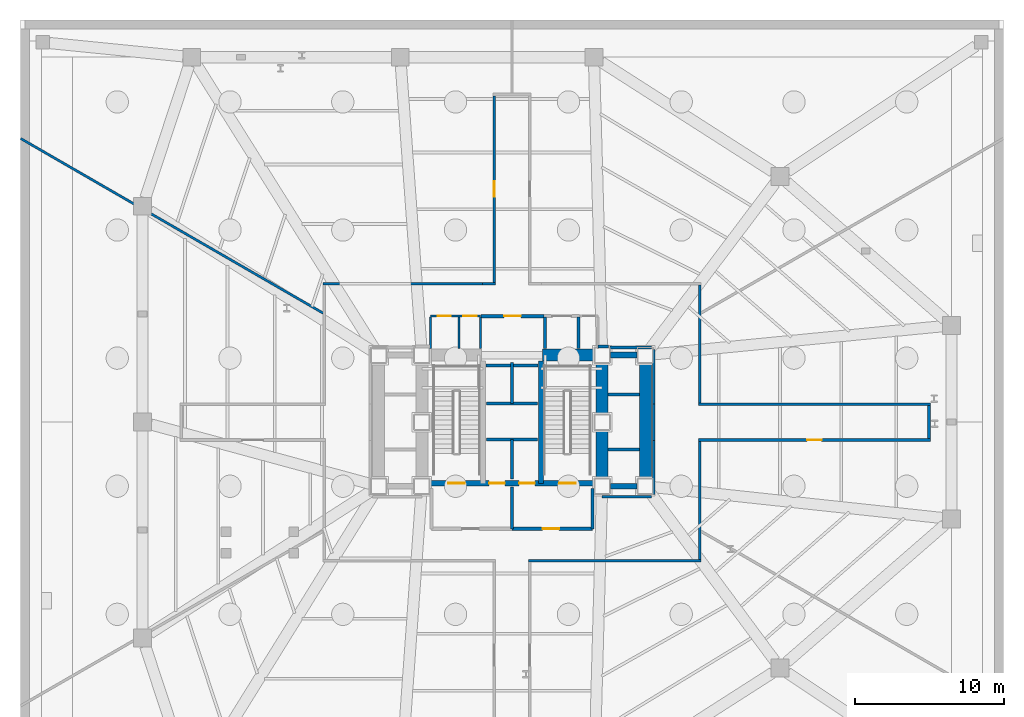
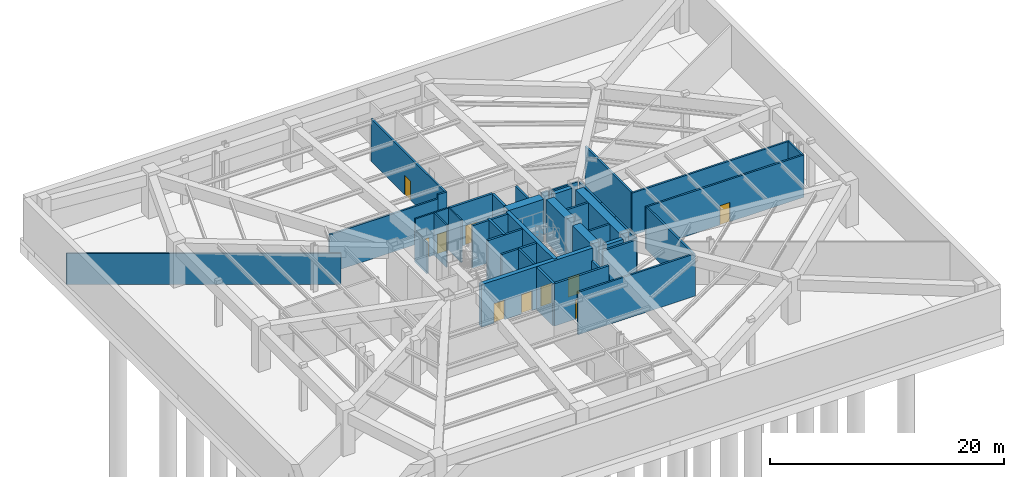
# One storey, part 4 of 7: 41 walls, 10 doors, 10 openings.
"""IFC4 building model written with IfcOpenShell, lengths in metres."""

from ifc_helpers import new_model, si_unit, direction, frame, frame_2d, origin, place, context, subcontext, project, spatial, rectangle, extrude, material, layer, layer_set, type_object, element, fill, save


model = new_model("IFC4")

# Units and contexts
model_context = context("Model", 3, precision=1e-05, world=origin(), true_north=direction((0.0, 1.0)))
body_context = subcontext(model_context, "Body", "Model", "MODEL_VIEW")
ifc_project = project(units=[si_unit("LENGTHUNIT", "METRE"), si_unit("AREAUNIT", "SQUARE_METRE"), si_unit("VOLUMEUNIT", "CUBIC_METRE"), si_unit("PLANEANGLEUNIT", "RADIAN"), si_unit("MASSUNIT", "GRAM", prefix="KILO")], contexts=[model_context])

# Site, building, storey
site_placement = place(None, origin())
site = spatial("IfcSite", under=ifc_project, at=site_placement, CompositionType="ELEMENT")
building_placement = place(site_placement, origin())
building = spatial("IfcBuilding", under=site, at=building_placement, Name="Rocaltana Carrier Exchange", CompositionType="ELEMENT")
storey_placement = place(building_placement, frame((0.0, 0.0, -9.60009765625)))
storey = spatial("IfcBuildingStorey", under=building, at=storey_placement, Name="Lower Basement", CompositionType="ELEMENT", Elevation=-9.60009765625)

# Walls
ifc_material_1 = material(Name="Double Acoustic Gypsum Partition", Category="gypsum")
ifc_layer_1 = layer(ifc_material_1, 0.159912109375)
ifc_layer_set_1 = layer_set([ifc_layer_1], Name="Double Acoustic Gypsum Partition")
wall_type_1 = type_object("IfcWallType", Name="Acoustic Studio Partition 160 EI60", PredefinedType="PARTITIONING", material=ifc_layer_set_1)
wall_1_placement = place(storey_placement, frame((-12.679931640625, 7.32080078125, 0.0), z_axis=(0.0, 0.0, 1.0), x_axis=(-0.866024362014, 0.500001804394, 0.0)))
element("IfcWall", 1, at=wall_1_placement, inside=storey, type_object=wall_type_1, Name="Lower Basement Suite Divider Wall D6", PredefinedType="PARTITIONING", context=body_context, shape_type="SweptSolid", body=[
    extrude(rectangle(XDim=23.4521484375, YDim=0.159912109375, at=frame_2d((11.72607421875, 0.0))), origin(), (0.0, 0.0, 1.0), 3.253173828125),
])
ifc_material_2 = material(Name="Concrete C50/60", Category="concrete")
ifc_layer_2 = layer(ifc_material_2, 0.35009765625)
ifc_layer_set_2 = layer_set([ifc_layer_2], Name="Concrete C50/60")
wall_type_2 = type_object("IfcWallType", Name="Core Internal Shear Wall 350", PredefinedType="SHEAR", material=ifc_layer_set_2)
wall_2_placement = place(storey_placement, frame((1.93994140625, -4.10009765625, 0.0), z_axis=(0.0, 0.0, 1.0), x_axis=(0.0, 1.0, 0.0)))
element("IfcWall", 2, at=wall_2_placement, inside=storey, type_object=wall_type_2, Name="Lower Basement Core Shear Wall CW-STE", PredefinedType="SHEAR", context=body_context, shape_type="SweptSolid", body=[
    extrude(rectangle(XDim=8.2001953125, YDim=0.35009765625, at=frame_2d((4.10009765625, 0.0))), origin(), (0.0, 0.0, 1.0), 4.447998046875),
])

# Wall, openings, doors
ifc_material_3 = material(Name="Concrete C50/60", Category="concrete")
ifc_layer_3 = layer(ifc_material_3, 0.39990234375)
ifc_layer_set_3 = layer_set([ifc_layer_3], Name="Concrete C50/60")
wall_type_3 = type_object("IfcWallType", Name="Core Internal Shear Wall 400", PredefinedType="SHEAR", material=ifc_layer_set_3)
wall_3_placement = place(storey_placement, frame((-5.5, -4.10009765625, 0.0), z_axis=(0.0, 0.0, 1.0), x_axis=(1.0, 0.0, 0.0)))
wall_3 = element("IfcWall", 3, at=wall_3_placement, inside=storey, type_object=wall_type_3, Name="Lower Basement Core Shear Wall CW-S", PredefinedType="SHEAR", context=body_context, shape_type="SweptSolid", body=[
    extrude(rectangle(XDim=11.0, YDim=0.39990234375, at=frame_2d((5.5, 0.0))), origin(), (0.0, 0.0, 1.0), 4.447998046875),
])
opening_1_placement = place(wall_3_placement, frame((1.22998046875, 0.0, 0.0)))
opening_1 = element("IfcOpeningElement", 4, at=opening_1_placement, cuts=wall_3, Name="Opening D-ST110", PredefinedType="OPENING", context=body_context, shape_type="SweptSolid", body=[
    extrude(rectangle(XDim=1.10009765625, YDim=2.0400390625, at=frame_2d((0.550048828125, 1.02001953125))), frame((0.0, 0.2099609375, 0.0), z_axis=(0.0, -1.0, 0.0), x_axis=(1.0, 0.0, 0.0)), (0.0, 0.0, 1.0), 0.419921875),
])
opening_2_placement = place(wall_3_placement, frame((8.669921875, 0.0, 0.0)))
opening_2 = element("IfcOpeningElement", 5, at=opening_2_placement, cuts=wall_3, Name="Opening D-ST110", PredefinedType="OPENING", context=body_context, shape_type="SweptSolid", body=[
    extrude(rectangle(XDim=1.10009765625, YDim=2.0400390625, at=frame_2d((0.550048828125, 1.02001953125))), frame((0.0, 0.2099609375, 0.0), z_axis=(0.0, -1.0, 0.0), x_axis=(1.0, 0.0, 0.0)), (0.0, 0.0, 1.0), 0.419921875),
])
opening_3_placement = place(wall_3_placement, frame((3.969970703125, 0.0, 0.0)))
opening_3 = element("IfcOpeningElement", 6, at=opening_3_placement, cuts=wall_3, Name="Opening LD-110", PredefinedType="OPENING", context=body_context, shape_type="SweptSolid", body=[
    extrude(rectangle(XDim=1.06005859375, YDim=2.0400390625, at=frame_2d((0.530029296875, 1.02001953125))), frame((0.0, 0.2099609375, 0.0), z_axis=(0.0, -1.0, 0.0), x_axis=(1.0, 0.0, 0.0)), (0.0, 0.0, 1.0), 0.419921875),
])
opening_4_placement = place(wall_3_placement, frame((5.969970703125, 0.0, 0.0)))
opening_4 = element("IfcOpeningElement", 7, at=opening_4_placement, cuts=wall_3, Name="Opening LD-110", PredefinedType="OPENING", context=body_context, shape_type="SweptSolid", body=[
    extrude(rectangle(XDim=1.06005859375, YDim=2.0400390625, at=frame_2d((0.530029296875, 1.02001953125))), frame((0.0, 0.2099609375, 0.0), z_axis=(0.0, -1.0, 0.0), x_axis=(1.0, 0.0, 0.0)), (0.0, 0.0, 1.0), 0.419921875),
])
ifc_material_4 = material(Name="Hollow Metal Fire Door Assembly", Category="steel")
door_type_1 = type_object("IfcDoorType", Name="Exit Stair Fire Door 1100x2040 FD90S", OperationType="NOTDEFINED", PredefinedType="DOOR", material=ifc_material_4)
door_1_placement = place(opening_1_placement, origin())
door_1 = element("IfcDoor", 8, at=door_1_placement, inside=storey, type_object=door_type_1, Name="Lower Basement Exit Stair ST1 Fire Door", OperationType="SINGLE_SWING_LEFT", OverallHeight=2.0400390625, OverallWidth=1.10009765625, PredefinedType="DOOR", context=body_context, shape_type="SweptSolid", body=[
    extrude(rectangle(XDim=1.10009765625, YDim=2.0400390625, at=frame_2d((0.550048828125, 1.02001953125))), frame((0.0, 0.02490234375, 0.0), z_axis=(0.0, -1.0, 0.0), x_axis=(1.0, 0.0, 0.0)), (0.0, 0.0, 1.0), 0.050048828125),
])
fill(opening_1, door_1)
door_2_placement = place(opening_2_placement, origin())
door_2 = element("IfcDoor", 9, at=door_2_placement, inside=storey, type_object=door_type_1, Name="Lower Basement Exit Stair ST2 Fire Door", OperationType="SINGLE_SWING_RIGHT", OverallHeight=2.0400390625, OverallWidth=1.10009765625, PredefinedType="DOOR", context=body_context, shape_type="SweptSolid", body=[
    extrude(rectangle(XDim=1.10009765625, YDim=2.0400390625, at=frame_2d((0.550048828125, 1.02001953125))), frame((0.0, 0.02490234375, 0.0), z_axis=(0.0, -1.0, 0.0), x_axis=(1.0, 0.0, 0.0)), (0.0, 0.0, 1.0), 0.050048828125),
])
fill(opening_2, door_2)
ifc_material_5 = material(Name="Brushed Stainless Sliding Door Leaf", Category="steel")
door_type_2 = type_object("IfcDoorType", Name="Lift Landing Sliding Door 1060x2040", OperationType="NOTDEFINED", PredefinedType="DOOR", material=ifc_material_5)
door_3_placement = place(opening_3_placement, origin())
door_3 = element("IfcDoor", 10, at=door_3_placement, inside=storey, type_object=door_type_2, Name="Lower Basement Firefighting Lift FFL1 Landing Door", OperationType="SLIDING_TO_LEFT", OverallHeight=2.0400390625, OverallWidth=1.06005859375, PredefinedType="DOOR", context=body_context, shape_type="SweptSolid", body=[
    extrude(rectangle(XDim=1.06005859375, YDim=2.0400390625, at=frame_2d((0.530029296875, 1.02001953125))), frame((0.0, 0.02490234375, 0.0), z_axis=(0.0, -1.0, 0.0), x_axis=(1.0, 0.0, 0.0)), (0.0, 0.0, 1.0), 0.050048828125),
])
fill(opening_3, door_3)
door_4_placement = place(opening_4_placement, origin())
door_4 = element("IfcDoor", 11, at=door_4_placement, inside=storey, type_object=door_type_2, Name="Lower Basement Firefighting Lift FFL2 Landing Door", OperationType="SLIDING_TO_RIGHT", OverallHeight=2.0400390625, OverallWidth=1.06005859375, PredefinedType="DOOR", context=body_context, shape_type="SweptSolid", body=[
    extrude(rectangle(XDim=1.06005859375, YDim=2.0400390625, at=frame_2d((0.530029296875, 1.02001953125))), frame((0.0, 0.02490234375, 0.0), z_axis=(0.0, -1.0, 0.0), x_axis=(1.0, 0.0, 0.0)), (0.0, 0.0, 1.0), 0.050048828125),
])
fill(opening_4, door_4)

# Walls
for number, where, z_axis, x_axis, name in (
    (12, (6.60009765625, 4.5, 0.0), (0.0, 0.0, 1.0), (1.0, 0.0, 0.0), "Lower Basement Core Shear Wall CW-EWN"),
    (13, (6.60009765625, -4.300048828125, 0.0), (0.0, 0.0, 1.0), (1.0, 0.0, 0.0), "Lower Basement Core Shear Wall CW-EWS"),
):
    element("IfcWall", number, at=place(storey_placement, frame(where, z_axis=z_axis, x_axis=x_axis)), inside=storey, type_object=wall_type_3, Name=name, PredefinedType="SHEAR", context=body_context, shape_type="SweptSolid", body=[
        extrude(rectangle(XDim=1.7998046875, YDim=0.39990234375, at=frame_2d((0.89990234375, 0.0))), origin(), (0.0, 0.0, 1.0), 4.447998046875),
    ])
ifc_material_6 = material(Name="Concrete C60/75", Category="concrete")
ifc_layer_4 = layer(ifc_material_6, 0.800048828125)
ifc_layer_set_4 = layer_set([ifc_layer_4], Name="Concrete C60/75")
wall_type_4 = type_object("IfcWallType", Name="Core Shear Wall 800", PredefinedType="SHEAR", material=ifc_layer_set_4)
wall_4_placement = place(storey_placement, frame((6.050048828125, 0.550048828125, 0.0), z_axis=(0.0, 0.0, 1.0), x_axis=(0.0, 1.0, 0.0)))
element("IfcWall", 14, at=wall_4_placement, inside=storey, type_object=wall_type_4, Name="Lower Basement Core Shear Wall CW-EN", PredefinedType="SHEAR", context=body_context, shape_type="SweptSolid", body=[
    extrude(rectangle(XDim=3.39990234375, YDim=0.800048828125, at=frame_2d((1.699951171875, 0.0))), origin(), (0.0, 0.0, 1.0), 4.447998046875),
])
wall_5_placement = place(storey_placement, frame((6.050048828125, -3.75, 0.0), z_axis=(0.0, 0.0, 1.0), x_axis=(0.0, 1.0, 0.0)))
element("IfcWall", 15, at=wall_5_placement, inside=storey, type_object=wall_type_4, Name="Lower Basement Core Shear Wall CW-ES", PredefinedType="SHEAR", context=body_context, shape_type="SweptSolid", body=[
    extrude(rectangle(XDim=3.199951171875, YDim=0.800048828125, at=frame_2d((1.60009765625, 0.0))), origin(), (0.0, 0.0, 1.0), 4.447998046875),
])
wall_6_placement = place(storey_placement, frame((2.050048828125, 4.5, 0.0), z_axis=(0.0, 0.0, 1.0), x_axis=(1.0, 0.0, 0.0)))
element("IfcWall", 16, at=wall_6_placement, inside=storey, type_object=wall_type_4, Name="Lower Basement Core Shear Wall CW-N2", PredefinedType="SHEAR", context=body_context, shape_type="SweptSolid", body=[
    extrude(rectangle(XDim=3.449951171875, YDim=0.800048828125, at=frame_2d((1.72509765625, 0.0))), origin(), (0.0, 0.0, 1.0), 4.447998046875),
])
wall_7_placement = place(storey_placement, frame((8.949951171875, -3.75, 0.0), z_axis=(0.0, 0.0, 1.0), x_axis=(0.0, 1.0, 0.0)))
element("IfcWall", 17, at=wall_7_placement, inside=storey, type_object=wall_type_4, Name="Lower Basement Core Shear Wall CW-EW", PredefinedType="SHEAR", context=body_context, shape_type="SweptSolid", body=[
    extrude(rectangle(XDim=7.699951171875, YDim=0.800048828125, at=frame_2d((3.85009765625, 0.0))), origin(), (0.0, 0.0, 1.0), 4.447998046875),
])
ifc_material_7 = material(Name="Gypsum & Steel Stud Partition", Category="steel")
ifc_layer_5 = layer(ifc_material_7, 0.179931640625)
ifc_layer_set_5 = layer_set([ifc_layer_5], Name="Gypsum & Steel Stud Partition")
wall_type_5 = type_object("IfcWallType", Name="Corridor Fire Partition 180 EI60", PredefinedType="PARTITIONING", material=ifc_layer_set_5)
wall_8_placement = place(storey_placement, frame((-12.68994140625, 9.300048828125, 0.0), z_axis=(0.0, 0.0, 1.0), x_axis=(1.0, 0.0, 0.0)))
element("IfcWall", 18, at=wall_8_placement, inside=storey, type_object=wall_type_5, Name="Lower Basement Corridor Partition 3", PredefinedType="PARTITIONING", context=body_context, shape_type="SweptSolid", body=[
    extrude(rectangle(XDim=10.760009765625, YDim=0.179931640625, at=frame_2d((5.3798828125, 0.0))), origin(), (0.0, 0.0, 1.0), 3.989990234375),
])
wall_9_placement = place(storey_placement, frame((-1.969970703125, 9.300048828125, 0.0), z_axis=(0.0, 0.0, 1.0), x_axis=(1.0, 0.0, 0.0)))
element("IfcWall", 19, at=wall_9_placement, inside=storey, type_object=wall_type_5, Name="Lower Basement Corridor Partition 4", PredefinedType="PARTITIONING", context=body_context, shape_type="SweptSolid", body=[
    extrude(rectangle(XDim=0.85986328125, YDim=0.179931640625, at=frame_2d((0.429931640625, 0.0))), origin(), (0.0, 0.0, 1.0), 4.423095703125),
])

# Wall, opening, door
wall_10_placement = place(storey_placement, frame((-1.199951171875, 9.389892578125, 0.0), z_axis=(0.0, 0.0, 1.0), x_axis=(0.0, 1.0, 0.0)))
wall_10 = element("IfcWall", 20, at=wall_10_placement, inside=storey, type_object=wall_type_5, Name="Lower Basement Corridor Partition 5", PredefinedType="PARTITIONING", context=body_context, shape_type="SweptSolid", body=[
    extrude(rectangle(XDim=12.52001953125, YDim=0.179931640625, at=frame_2d((6.260009765625, 0.0))), origin(), (0.0, 0.0, 1.0), 4.423095703125),
])
opening_5_placement = place(wall_10_placement, frame((5.75, 0.0, 0.0)))
opening_5 = element("IfcOpeningElement", 21, at=opening_5_placement, cuts=wall_10, Name="Opening D-LB104", PredefinedType="OPENING", context=body_context, shape_type="SweptSolid", body=[
    extrude(rectangle(XDim=1.02001953125, YDim=2.02001953125, at=frame_2d((0.510009765625, 1.010009765625))), frame((0.0, 0.099853515625, 0.0), z_axis=(0.0, -1.0, 0.0), x_axis=(1.0, 0.0, 0.0)), (0.0, 0.0, 1.0), 0.199951171875),
])
ifc_material_8 = material(Name="Powder-Coated Aluminium 6063-T6", Category="aluminium")
door_type_3 = type_object("IfcDoorType", Name="Laboratory Acoustic Door 1020x2020", OperationType="NOTDEFINED", PredefinedType="DOOR", material=ifc_material_8)
door_5_placement = place(opening_5_placement, origin())
door_5 = element("IfcDoor", 22, at=door_5_placement, inside=storey, type_object=door_type_3, Name="Lower Basement Building Engineering Workshop Entrance Door", OperationType="SINGLE_SWING_RIGHT", OverallHeight=2.02001953125, OverallWidth=1.02001953125, PredefinedType="DOOR", context=body_context, shape_type="SweptSolid", body=[
    extrude(rectangle(XDim=1.02001953125, YDim=2.02001953125, at=frame_2d((0.510009765625, 1.010009765625))), frame((0.0, 0.02490234375, 0.0), z_axis=(0.0, -1.0, 0.0), x_axis=(1.0, 0.0, 0.0)), (0.0, 0.0, 1.0), 0.050048828125),
])
fill(opening_5, door_5)

# Walls
wall_11_placement = place(storey_placement, frame((12.60009765625, 9.2099609375, 0.0), z_axis=(0.0, 0.0, 1.0), x_axis=(0.0, -1.0, 0.0)))
element("IfcWall", 23, at=wall_11_placement, inside=storey, type_object=wall_type_5, Name="Lower Basement Corridor Partition 10", PredefinedType="PARTITIONING", context=body_context, shape_type="SweptSolid", body=[
    extrude(rectangle(XDim=7.919921875, YDim=0.179931640625, at=frame_2d((3.9599609375, 0.0))), origin(), (0.0, 0.0, 1.0), 4.423095703125),
])
wall_12_placement = place(storey_placement, frame((12.510009765625, 1.199951171875, 0.0), z_axis=(0.0, 0.0, 1.0), x_axis=(1.0, 0.0, 0.0)))
element("IfcWall", 24, at=wall_12_placement, inside=storey, type_object=wall_type_5, Name="Lower Basement Corridor Partition 11", PredefinedType="PARTITIONING", context=body_context, shape_type="SweptSolid", body=[
    extrude(rectangle(XDim=15.580078125, YDim=0.179931640625, at=frame_2d((7.7900390625, 0.0))), origin(), (0.0, 0.0, 1.0), 4.423095703125),
])
wall_13_placement = place(storey_placement, frame((28.0, 1.110107421875, 0.0), z_axis=(0.0, 0.0, 1.0), x_axis=(0.0, -1.0, 0.0)))
element("IfcWall", 25, at=wall_13_placement, inside=storey, type_object=wall_type_5, Name="Lower Basement Corridor Partition 12", PredefinedType="PARTITIONING", context=body_context, shape_type="SweptSolid", body=[
    extrude(rectangle(XDim=2.22021484375, YDim=0.179931640625, at=frame_2d((1.110107421875, 0.0))), origin(), (0.0, 0.0, 1.0), 4.423095703125),
])

# Wall, opening, door
wall_14_placement = place(storey_placement, frame((28.090087890625, -1.199951171875, 0.0), z_axis=(0.0, 0.0, 1.0), x_axis=(-1.0, 0.0, 0.0)))
wall_14 = element("IfcWall", 26, at=wall_14_placement, inside=storey, type_object=wall_type_5, Name="Lower Basement Corridor Partition 13", PredefinedType="PARTITIONING", context=body_context, shape_type="SweptSolid", body=[
    extrude(rectangle(XDim=15.580078125, YDim=0.179931640625, at=frame_2d((7.7900390625, 0.0))), origin(), (0.0, 0.0, 1.0), 4.423095703125),
])
opening_6_placement = place(wall_14_placement, frame((7.31005859375, 0.0, 0.0)))
opening_6 = element("IfcOpeningElement", 27, at=opening_6_placement, cuts=wall_14, Name="Opening D-RM098", PredefinedType="OPENING", context=body_context, shape_type="SweptSolid", body=[
    extrude(rectangle(XDim=0.9599609375, YDim=2.02001953125, at=frame_2d((0.47998046875, 1.010009765625))), frame((0.0, 0.099853515625, 0.0), z_axis=(0.0, -1.0, 0.0), x_axis=(1.0, 0.0, 0.0)), (0.0, 0.0, 1.0), 0.199951171875),
])
ifc_material_9 = material(Name="Engineered Hardwood Timber", Category="wood")
door_type_4 = type_object("IfcDoorType", Name="Workspace Single Door 960x2020", OperationType="NOTDEFINED", PredefinedType="DOOR", material=ifc_material_9)
door_6_placement = place(opening_6_placement, origin())
door_6 = element("IfcDoor", 28, at=door_6_placement, inside=storey, type_object=door_type_4, Name="Lower Basement Fire Suppression Pump Room Entrance Door", OperationType="SINGLE_SWING_RIGHT", OverallHeight=2.02001953125, OverallWidth=0.9599609375, PredefinedType="DOOR", context=body_context, shape_type="SweptSolid", body=[
    extrude(rectangle(XDim=0.9599609375, YDim=2.02001953125, at=frame_2d((0.47998046875, 1.010009765625))), frame((0.0, 0.02490234375, 0.0), z_axis=(0.0, -1.0, 0.0), x_axis=(1.0, 0.0, 0.0)), (0.0, 0.0, 1.0), 0.050048828125),
])
fill(opening_6, door_6)

# Walls
wall_15_placement = place(storey_placement, frame((12.60009765625, -1.2900390625, 0.0), z_axis=(0.0, 0.0, 1.0), x_axis=(0.0, -1.0, 0.0)))
element("IfcWall", 29, at=wall_15_placement, inside=storey, type_object=wall_type_5, Name="Lower Basement Corridor Partition 14", PredefinedType="PARTITIONING", context=body_context, shape_type="SweptSolid", body=[
    extrude(rectangle(XDim=7.919921875, YDim=0.179931640625, at=frame_2d((3.9599609375, 0.0))), origin(), (0.0, 0.0, 1.0), 4.423095703125),
])
wall_16_placement = place(storey_placement, frame((12.68994140625, -9.300048828125, 0.0), z_axis=(0.0, 0.0, 1.0), x_axis=(-1.0, 0.0, 0.0)))
element("IfcWall", 30, at=wall_16_placement, inside=storey, type_object=wall_type_5, Name="Lower Basement Corridor Partition 15", PredefinedType="PARTITIONING", context=body_context, shape_type="SweptSolid", body=[
    extrude(rectangle(XDim=11.579833984375, YDim=0.179931640625, at=frame_2d((5.7900390625, 0.0))), origin(), (0.0, 0.0, 1.0), 4.423095703125),
])
wall_17_placement = place(storey_placement, frame((6.030029296875, -5.010009765625, 0.0), z_axis=(0.0, 0.0, 1.0), x_axis=(1.0, 0.0, 0.0)))
element("IfcWall", 31, at=wall_17_placement, inside=storey, type_object=wall_type_5, Name="Lower Basement Corridor Partition 29", PredefinedType="PARTITIONING", context=body_context, shape_type="SweptSolid", body=[
    extrude(rectangle(XDim=3.340087890625, YDim=0.179931640625, at=frame_2d((1.669921875, 0.0))), origin(), (0.0, 0.0, 1.0), 4.423095703125),
])
wall_18_placement = place(storey_placement, frame((9.510009765625, -4.8701171875, 0.0), z_axis=(0.0, 0.0, 1.0), x_axis=(0.0, 1.0, 0.0)))
element("IfcWall", 32, at=wall_18_placement, inside=storey, type_object=wall_type_5, Name="Lower Basement Corridor Partition 30", PredefinedType="PARTITIONING", context=body_context, shape_type="SweptSolid", body=[
    extrude(rectangle(XDim=3.690185546875, YDim=0.179931640625, at=frame_2d((1.84521484375, 0.0))), origin(), (0.0, 0.0, 1.0), 4.423095703125),
])
wall_19_placement = place(storey_placement, frame((9.510009765625, -1.219970703125, 0.0), z_axis=(0.0, 0.0, 1.0), x_axis=(0.0, 1.0, 0.0)))
element("IfcWall", 33, at=wall_19_placement, inside=storey, type_object=wall_type_5, Name="Lower Basement Corridor Partition 31", PredefinedType="PARTITIONING", context=body_context, shape_type="SweptSolid", body=[
    extrude(rectangle(XDim=2.43994140625, YDim=0.179931640625, at=frame_2d((1.219970703125, 0.0))), origin(), (0.0, 0.0, 1.0), 4.423095703125),
])
wall_20_placement = place(storey_placement, frame((9.510009765625, 1.179931640625, 0.0), z_axis=(0.0, 0.0, 1.0), x_axis=(0.0, 1.0, 0.0)))
element("IfcWall", 34, at=wall_20_placement, inside=storey, type_object=wall_type_5, Name="Lower Basement Corridor Partition 32", PredefinedType="PARTITIONING", context=body_context, shape_type="SweptSolid", body=[
    extrude(rectangle(XDim=3.690185546875, YDim=0.179931640625, at=frame_2d((1.84521484375, 0.0))), origin(), (0.0, 0.0, 1.0), 4.423095703125),
])
wall_21_placement = place(storey_placement, frame((9.3701171875, 5.010009765625, 0.0), z_axis=(0.0, 0.0, 1.0), x_axis=(-1.0, 0.0, 0.0)))
element("IfcWall", 35, at=wall_21_placement, inside=storey, type_object=wall_type_5, Name="Lower Basement Corridor Partition 33", PredefinedType="PARTITIONING", context=body_context, shape_type="SweptSolid", body=[
    extrude(rectangle(XDim=2.807861328125, YDim=0.179931640625, at=frame_2d((1.40380859375, 0.0))), origin(), (0.0, 0.0, 1.0), 4.423095703125),
])
wall_22_placement = place(storey_placement, frame((6.469970703125, 5.080078125, 0.0), z_axis=(0.0, 0.0, 1.0), x_axis=(-1.0, 0.0, 0.0)))
element("IfcWall", 36, at=wall_22_placement, inside=storey, type_object=wall_type_5, Name="Lower Basement Corridor Partition 34", PredefinedType="PARTITIONING", context=body_context, shape_type="SweptSolid", body=[
    extrude(rectangle(XDim=0.679931640625, YDim=0.179931640625, at=frame_2d((0.33984375, 0.0))), origin(), (0.0, 0.0, 1.0), 4.423095703125),
])
ifc_material_10 = material(Name="Autoclaved Aerated Concrete C30/37", Category="concrete")
ifc_layer_6 = layer(ifc_material_10, 0.219970703125)
ifc_layer_set_6 = layer_set([ifc_layer_6], Name="Autoclaved Aerated Concrete C30/37")
wall_type_6 = type_object("IfcWallType", Name="Firefighting Lobby Wall 220 EI120", PredefinedType="PARTITIONING", material=ifc_layer_set_6)
wall_23_placement = place(storey_placement, frame((5.39990234375, -7.159912109375, 0.0), z_axis=(0.0, 0.0, 1.0), x_axis=(0.0, 1.0, 0.0)))
element("IfcWall", 37, at=wall_23_placement, inside=storey, type_object=wall_type_6, Name="Lower Basement FFL Lobby 2 East Wall", PredefinedType="PARTITIONING", context=body_context, shape_type="SweptSolid", body=[
    extrude(rectangle(XDim=2.7099609375, YDim=0.219970703125, at=frame_2d((1.35498046875, 0.0))), origin(), (0.0, 0.0, 1.0), 3.253173828125),
])
wall_24_placement = place(storey_placement, frame((0.0, -7.159912109375, 0.0), z_axis=(0.0, 0.0, 1.0), x_axis=(0.0, 1.0, 0.0)))
element("IfcWall", 38, at=wall_24_placement, inside=storey, type_object=wall_type_6, Name="Lower Basement FFL Lobby Centre Wall", PredefinedType="PARTITIONING", context=body_context, shape_type="SweptSolid", body=[
    extrude(rectangle(XDim=2.809814453125, YDim=0.219970703125, at=frame_2d((1.40478515625, 0.0))), origin(), (0.0, 0.0, 1.0), 4.423095703125),
])

# Wall, opening, door
wall_25_placement = place(storey_placement, frame((0.0, -7.159912109375, 0.0), z_axis=(0.0, 0.0, 1.0), x_axis=(1.0, 0.0, 0.0)))
wall_25 = element("IfcWall", 39, at=wall_25_placement, inside=storey, type_object=wall_type_6, Name="Lower Basement FFL Lobby 2 South Wall", PredefinedType="PARTITIONING", context=body_context, shape_type="SweptSolid", body=[
    extrude(rectangle(XDim=5.39990234375, YDim=0.219970703125, at=frame_2d((2.699951171875, 0.0))), origin(), (0.0, 0.0, 1.0), 4.423095703125),
])
opening_7_placement = place(wall_25_placement, frame((2.050048828125, 0.0, 0.0)))
opening_7 = element("IfcOpeningElement", 40, at=opening_7_placement, cuts=wall_25, Name="Opening D-FF115", PredefinedType="OPENING", context=body_context, shape_type="SweptSolid", body=[
    extrude(rectangle(XDim=1.1201171875, YDim=2.02001953125, at=frame_2d((0.56005859375, 1.010009765625))), frame((0.0, 0.119873046875, 0.0), z_axis=(0.0, -1.0, 0.0), x_axis=(1.0, 0.0, 0.0)), (0.0, 0.0, 1.0), 0.239990234375),
])
ifc_material_11 = material(Name="Hollow Metal Fire Door Assembly", Category="steel")
door_type_5 = type_object("IfcDoorType", Name="Firefighting Lobby Door 1120x2020 FD60S", OperationType="NOTDEFINED", PredefinedType="DOOR", material=ifc_material_11)
door_7_placement = place(opening_7_placement, origin())
door_7 = element("IfcDoor", 41, at=door_7_placement, inside=storey, type_object=door_type_5, Name="Lower Basement Firefighting Lift Lobby 2 Door", OperationType="SINGLE_SWING_RIGHT", OverallHeight=2.02001953125, OverallWidth=1.1201171875, PredefinedType="DOOR", context=body_context, shape_type="SweptSolid", body=[
    extrude(rectangle(XDim=1.1201171875, YDim=2.02001953125, at=frame_2d((0.56005859375, 1.010009765625))), frame((0.0, 0.02490234375, 0.0), z_axis=(0.0, -1.0, 0.0), x_axis=(1.0, 0.0, 0.0)), (0.0, 0.0, 1.0), 0.050048828125),
])
fill(opening_7, door_7)

wall_26_placement = place(storey_placement, frame((-2.080078125, 7.1201171875, 0.0), z_axis=(0.0, 0.0, 1.0), x_axis=(1.0, 0.0, 0.0)))
wall_26 = element("IfcWall", 42, at=wall_26_placement, inside=storey, type_object=wall_type_6, Name="Lower Basement North Lift Lobby Wall", PredefinedType="PARTITIONING", context=body_context, shape_type="SweptSolid", body=[
    extrude(rectangle(XDim=4.22998046875, YDim=0.219970703125, at=frame_2d((2.114990234375, 0.0))), origin(), (0.0, 0.0, 1.0), 4.423095703125),
])
opening_8_placement = place(wall_26_placement, frame((1.550048828125, 0.0, 0.0)))
opening_8 = element("IfcOpeningElement", 43, at=opening_8_placement, cuts=wall_26, Name="Opening D-FF115", PredefinedType="OPENING", context=body_context, shape_type="SweptSolid", body=[
    extrude(rectangle(XDim=1.1201171875, YDim=2.02001953125, at=frame_2d((0.56005859375, 1.010009765625))), frame((0.0, 0.119873046875, 0.0), z_axis=(0.0, -1.0, 0.0), x_axis=(1.0, 0.0, 0.0)), (0.0, 0.0, 1.0), 0.239990234375),
])
door_8_placement = place(opening_8_placement, origin())
door_8 = element("IfcDoor", 44, at=door_8_placement, inside=storey, type_object=door_type_5, Name="Lower Basement North Lift Lobby Exit Door", OperationType="SINGLE_SWING_LEFT", OverallHeight=2.02001953125, OverallWidth=1.1201171875, PredefinedType="DOOR", context=body_context, shape_type="SweptSolid", body=[
    extrude(rectangle(XDim=1.1201171875, YDim=2.02001953125, at=frame_2d((0.56005859375, 1.010009765625))), frame((0.0, 0.02490234375, 0.0), z_axis=(0.0, -1.0, 0.0), x_axis=(1.0, 0.0, 0.0)), (0.0, 0.0, 1.0), 0.050048828125),
])
fill(opening_8, door_8)

# Walls
ifc_material_12 = material(Name="Reinforced Concrete Block C35/45", Category="concrete")
ifc_layer_7 = layer(ifc_material_12, 0.199951171875)
ifc_layer_set_7 = layer_set([ifc_layer_7], Name="Reinforced Concrete Block C35/45")
wall_type_7 = type_object("IfcWallType", Name="Lift Hoistway Enclosure Wall 200 EI120", PredefinedType="PARTITIONING", material=ifc_layer_set_7)
wall_27_placement = place(storey_placement, frame((0.0, -3.820068359375, 0.0), z_axis=(0.0, 0.0, 1.0), x_axis=(0.0, 1.0, 0.0)))
element("IfcWall", 45, at=wall_27_placement, inside=storey, type_object=wall_type_7, Name="Lower Basement FFL Shaft Divider", PredefinedType="PARTITIONING", context=body_context, shape_type="SweptSolid", body=[
    extrude(rectangle(XDim=2.670166015625, YDim=0.199951171875, at=frame_2d((1.3349609375, 0.0))), origin(), (0.0, 0.0, 1.0), 4.423095703125),
])
wall_28_placement = place(storey_placement, frame((-1.719970703125, -1.14990234375, 0.0), z_axis=(0.0, 0.0, 1.0), x_axis=(1.0, 0.0, 0.0)))
element("IfcWall", 46, at=wall_28_placement, inside=storey, type_object=wall_type_7, Name="Lower Basement FFL Shaft Back Wall", PredefinedType="PARTITIONING", context=body_context, shape_type="SweptSolid", body=[
    extrude(rectangle(XDim=3.43994140625, YDim=0.199951171875, at=frame_2d((1.719970703125, 0.0))), origin(), (0.0, 0.0, 1.0), 4.423095703125),
])
wall_29_placement = place(storey_placement, frame((0.0, 1.25, 0.0), z_axis=(0.0, 0.0, 1.0), x_axis=(0.0, 1.0, 0.0)))
element("IfcWall", 47, at=wall_29_placement, inside=storey, type_object=wall_type_7, Name="Lower Basement High-Rise Shaft Divider", PredefinedType="PARTITIONING", context=body_context, shape_type="SweptSolid", body=[
    extrude(rectangle(XDim=2.77001953125, YDim=0.199951171875, at=frame_2d((1.385009765625, 0.0))), origin(), (0.0, 0.0, 1.0), 4.423095703125),
])
wall_30_placement = place(storey_placement, frame((-1.719970703125, 1.25, 0.0), z_axis=(0.0, 0.0, 1.0), x_axis=(1.0, 0.0, 0.0)))
element("IfcWall", 48, at=wall_30_placement, inside=storey, type_object=wall_type_7, Name="Lower Basement High-Rise Shaft Back Wall", PredefinedType="PARTITIONING", context=body_context, shape_type="SweptSolid", body=[
    extrude(rectangle(XDim=3.43994140625, YDim=0.199951171875, at=frame_2d((1.719970703125, 0.0))), origin(), (0.0, 0.0, 1.0), 4.423095703125),
])
wall_31_placement = place(storey_placement, frame((-1.760009765625, 3.820068359375, 0.0), z_axis=(0.0, 0.0, 1.0), x_axis=(1.0, 0.0, 0.0)))
element("IfcWall", 49, at=wall_31_placement, inside=storey, type_object=wall_type_7, Name="Lower Basement High-Rise Lift Front Wall", PredefinedType="PARTITIONING", context=body_context, shape_type="SweptSolid", body=[
    extrude(rectangle(XDim=3.52001953125, YDim=0.199951171875, at=frame_2d((1.760009765625, 0.0))), origin(), (0.0, 0.0, 1.0), 4.423095703125),
])
for number, where, z_axis, x_axis, name in (
    (50, (2.199951171875, 4.949951171875, 0.0), (0.0, 0.0, 1.0), (0.0, 1.0, 0.0), "Lower Basement Goods Lift West Wall"),
    (51, (4.47998046875, 4.949951171875, 0.0), (0.0, 0.0, 1.0), (0.0, 1.0, 0.0), "Lower Basement Goods Lift East Wall"),
    (52, (6.449951171875, -1.85009765625, 0.0), (0.0, 0.0, 1.0), (1.0, 0.0, 0.0), "Lower Basement Mid-Rise Shaft Divider 1"),
    (53, (6.449951171875, 1.85009765625, 0.0), (0.0, 0.0, 1.0), (1.0, 0.0, 0.0), "Lower Basement Mid-Rise Shaft Divider 2"),
):
    element("IfcWall", number, at=place(storey_placement, frame(where, z_axis=z_axis, x_axis=x_axis)), inside=storey, type_object=wall_type_7, Name=name, PredefinedType="PARTITIONING", context=body_context, shape_type="SweptSolid", body=[
        extrude(rectangle(XDim=2.10009765625, YDim=0.199951171875, at=frame_2d((1.050048828125, 0.0))), origin(), (0.0, 0.0, 1.0), 4.423095703125),
    ])
ifc_material_13 = material(Name="Moisture-Resistant Masonry C30/37", Category="masonry")
ifc_layer_8 = layer(ifc_material_13, 0.139892578125)
ifc_layer_set_8 = layer_set([ifc_layer_8], Name="Moisture-Resistant Masonry C30/37")
wall_type_8 = type_object("IfcWallType", Name="Wet-Area Sanitary Partition 140", PredefinedType="PARTITIONING", material=ifc_layer_set_8)
wall_32_placement = place(storey_placement, frame((-5.47998046875, 4.949951171875, 0.0), z_axis=(0.0, 0.0, 1.0), x_axis=(0.0, 1.0, 0.0)))
element("IfcWall", 54, at=wall_32_placement, inside=storey, type_object=wall_type_8, Name="Lower Basement Sanitary West Wall", PredefinedType="PARTITIONING", context=body_context, shape_type="SweptSolid", body=[
    extrude(rectangle(XDim=2.10009765625, YDim=0.139892578125, at=frame_2d((1.050048828125, 0.0))), origin(), (0.0, 0.0, 1.0), 3.253173828125),
])
for number, where, z_axis, x_axis, name in (
    (55, (-3.56005859375, 4.949951171875, 0.0), (0.0, 0.0, 1.0), (0.0, 1.0, 0.0), "Lower Basement Sanitary Divider"),
    (56, (-2.1201171875, 4.949951171875, 0.0), (0.0, 0.0, 1.0), (0.0, 1.0, 0.0), "Lower Basement Sanitary East Wall"),
):
    element("IfcWall", number, at=place(storey_placement, frame(where, z_axis=z_axis, x_axis=x_axis)), inside=storey, type_object=wall_type_8, Name=name, PredefinedType="PARTITIONING", context=body_context, shape_type="SweptSolid", body=[
        extrude(rectangle(XDim=2.10009765625, YDim=0.139892578125, at=frame_2d((1.050048828125, 0.0))), origin(), (0.0, 0.0, 1.0), 4.423095703125),
    ])

# Wall, openings, doors
wall_33_placement = place(storey_placement, frame((-5.47998046875, 7.1201171875, 0.0), z_axis=(0.0, 0.0, 1.0), x_axis=(1.0, 0.0, 0.0)))
wall_33 = element("IfcWall", 57, at=wall_33_placement, inside=storey, type_object=wall_type_8, Name="Lower Basement Sanitary North Wall", PredefinedType="PARTITIONING", context=body_context, shape_type="SweptSolid", body=[
    extrude(rectangle(XDim=3.35986328125, YDim=0.139892578125, at=frame_2d((1.679931640625, 0.0))), origin(), (0.0, 0.0, 1.0), 4.423095703125),
])
opening_9_placement = place(wall_33_placement, frame((0.47998046875, 0.0, 0.0)))
opening_9 = element("IfcOpeningElement", 58, at=opening_9_placement, cuts=wall_33, Name="Opening D-WC090", PredefinedType="OPENING", context=body_context, shape_type="SweptSolid", body=[
    extrude(rectangle(XDim=0.8798828125, YDim=2.02001953125, at=frame_2d((0.43994140625, 1.010009765625))), frame((0.0, 0.079833984375, 0.0), z_axis=(0.0, -1.0, 0.0), x_axis=(1.0, 0.0, 0.0)), (0.0, 0.0, 1.0), 0.159912109375),
])
opening_10_placement = place(wall_33_placement, frame((2.219970703125, 0.0, 0.0)))
opening_10 = element("IfcOpeningElement", 59, at=opening_10_placement, cuts=wall_33, Name="Opening D-WC090", PredefinedType="OPENING", context=body_context, shape_type="SweptSolid", body=[
    extrude(rectangle(XDim=0.8798828125, YDim=2.02001953125, at=frame_2d((0.43994140625, 1.010009765625))), frame((0.0, 0.079833984375, 0.0), z_axis=(0.0, -1.0, 0.0), x_axis=(1.0, 0.0, 0.0)), (0.0, 0.0, 1.0), 0.159912109375),
])
ifc_material_14 = material(Name="High-Pressure Laminate Timber", Category="wood")
door_type_6 = type_object("IfcDoorType", Name="Restroom & Accessible WC Door 880x2020", OperationType="NOTDEFINED", PredefinedType="DOOR", material=ifc_material_14)
door_9_placement = place(opening_9_placement, origin())
door_9 = element("IfcDoor", 60, at=door_9_placement, inside=storey, type_object=door_type_6, Name="Lower Basement Accessible Toilet Door", OperationType="SINGLE_SWING_RIGHT", OverallHeight=2.02001953125, OverallWidth=0.8798828125, PredefinedType="DOOR", context=body_context, shape_type="SweptSolid", body=[
    extrude(rectangle(XDim=0.8798828125, YDim=2.02001953125, at=frame_2d((0.43994140625, 1.010009765625))), frame((0.0, 0.02490234375, 0.0), z_axis=(0.0, -1.0, 0.0), x_axis=(1.0, 0.0, 0.0)), (0.0, 0.0, 1.0), 0.050048828125),
])
fill(opening_9, door_9)
door_10_placement = place(opening_10_placement, origin())
door_10 = element("IfcDoor", 61, at=door_10_placement, inside=storey, type_object=door_type_6, Name="Lower Basement Staff Restroom Door", OperationType="SINGLE_SWING_LEFT", OverallHeight=2.02001953125, OverallWidth=0.8798828125, PredefinedType="DOOR", context=body_context, shape_type="SweptSolid", body=[
    extrude(rectangle(XDim=0.8798828125, YDim=2.02001953125, at=frame_2d((0.43994140625, 1.010009765625))), frame((0.0, 0.02490234375, 0.0), z_axis=(0.0, -1.0, 0.0), x_axis=(1.0, 0.0, 0.0)), (0.0, 0.0, 1.0), 0.050048828125),
])
fill(opening_10, door_10)

save(model, "model.ifc")
